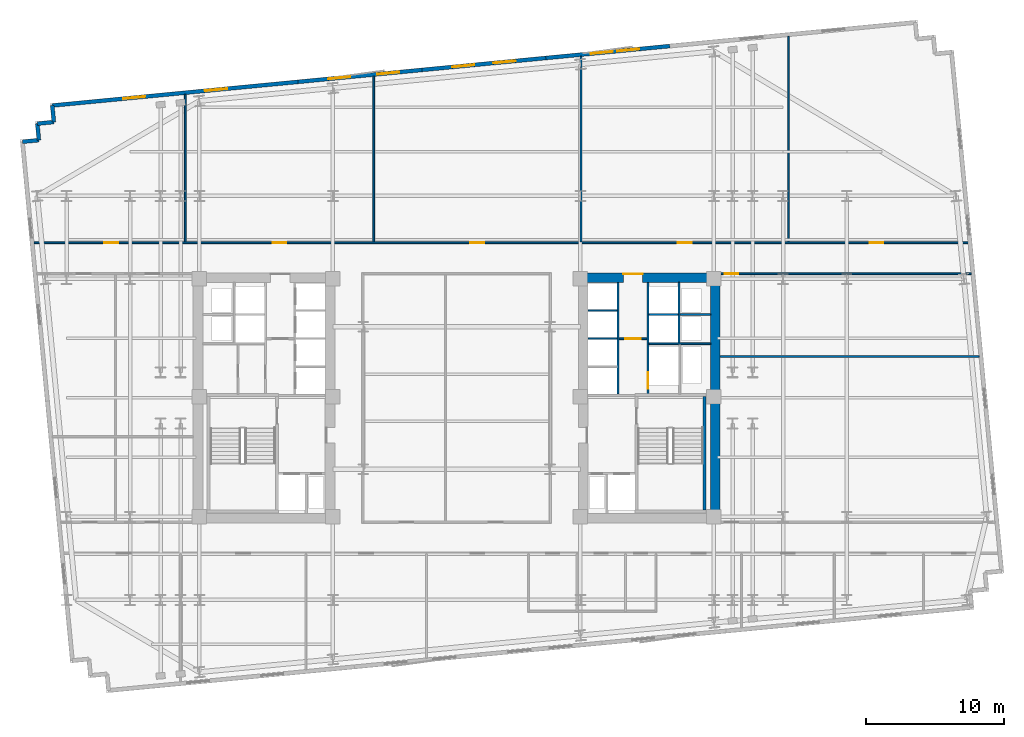
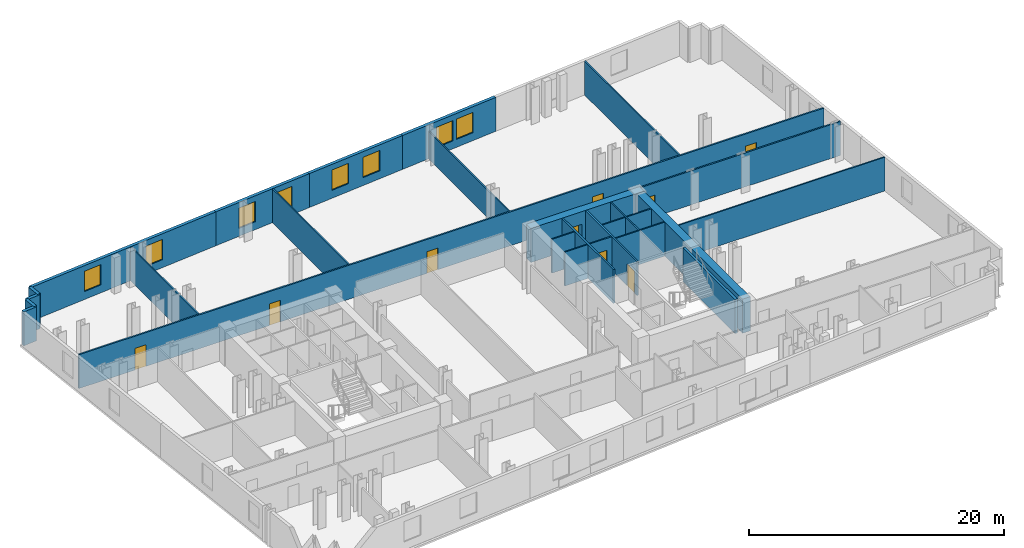
# One storey, part 7 of 10: 27 walls, 9 doors, 8 windows, 17 openings.
"""IFC4 building model written with IfcOpenShell, lengths in metres."""

from ifc_helpers import new_model, si_unit, direction, frame, frame_2d, origin, place, context, subcontext, project, spatial, rectangle, extrude, material, layer, layer_set, type_object, element, fill, save


model = new_model("IFC4")

# Units and contexts
model_context = context("Model", 3, precision=1e-05, world=origin(), true_north=direction((0.0, 1.0)))
body_context = subcontext(model_context, "Body", "Model", "MODEL_VIEW")
ifc_project = project(units=[si_unit("LENGTHUNIT", "METRE"), si_unit("AREAUNIT", "SQUARE_METRE"), si_unit("VOLUMEUNIT", "CUBIC_METRE"), si_unit("PLANEANGLEUNIT", "RADIAN"), si_unit("MASSUNIT", "GRAM", prefix="KILO")], contexts=[model_context])

# Site, building, storey
site_placement = place(None, origin())
site = spatial("IfcSite", under=ifc_project, at=site_placement, CompositionType="ELEMENT")
building_placement = place(site_placement, origin())
building = spatial("IfcBuilding", under=site, at=building_placement, Name="Velakula Bourse", CompositionType="ELEMENT")
storey_placement = place(building_placement, frame((0.0, 0.0, 84.550048828125)))
storey = spatial("IfcBuildingStorey", under=building, at=storey_placement, Name="L22", CompositionType="ELEMENT", Elevation=84.550048828125)

# Wall
ifc_material_1 = material(Name="Concrete M50 (fck 50 MPa)", Category="concrete")
ifc_layer_1 = layer(ifc_material_1, 0.2099609375, Name="Concrete M50 (fck 50 MPa)", Category="concrete")
ifc_layer_set_1 = layer_set([ifc_layer_1], Name="Concrete M50 (fck 50 MPa)")
wall_type_1 = type_object("IfcWallType", Name="WL-CORE-210", PredefinedType="SHEAR", material=ifc_layer_set_1)
wall_1_placement = place(storey_placement, frame((17.925048828125, -8.10009765625, 0.0), z_axis=(0.0, 0.0, 1.0), x_axis=(0.0, 1.0, 0.0)))
element("IfcWall", 1, at=wall_1_placement, inside=storey, type_object=wall_type_1, Name="L22 Core E Stairwell Shear Wall OUT", PredefinedType="SHEAR", context=body_context, shape_type="SweptSolid", body=[
    extrude(rectangle(XDim=8.2001953125, YDim=0.2099609375, at=frame_2d((4.10009765625, 0.0))), origin(), (0.0, 0.0, 1.0), 3.27001953125),
])

# Wall, opening, door
ifc_material_2 = material(Name="Concrete M70 (fck 70 MPa)", Category="concrete")
ifc_layer_2 = layer(ifc_material_2, 0.699951171875, Name="Concrete M70 (fck 70 MPa)", Category="concrete")
ifc_layer_set_2 = layer_set([ifc_layer_2], Name="Concrete M70 (fck 70 MPa)")
wall_type_2 = type_object("IfcWallType", Name="WL-CORE-700", PredefinedType="SHEAR", material=ifc_layer_set_2)
wall_2_placement = place(storey_placement, frame((8.800048828125, 8.699951171875, 0.0), z_axis=(0.0, 0.0, 1.0), x_axis=(1.0, 0.0, 0.0)))
wall_2 = element("IfcWall", 2, at=wall_2_placement, inside=storey, type_object=wall_type_2, Name="L22 Core E Shear Wall N", PredefinedType="SHEAR", context=body_context, shape_type="SweptSolid", body=[
    extrude(rectangle(XDim=10.25, YDim=0.699951171875, at=frame_2d((5.125, 0.0))), origin(), (0.0, 0.0, 1.0), 3.27001953125),
])
opening_1_placement = place(wall_2_placement, frame((3.25, 0.0, 0.0)))
opening_1 = element("IfcOpeningElement", 3, at=opening_1_placement, cuts=wall_2, Name="Opening D-LLE", PredefinedType="OPENING", context=body_context, shape_type="SweptSolid", body=[
    extrude(rectangle(XDim=1.39990234375, YDim=2.050048828125, at=frame_2d((0.699951171875, 1.02490234375))), frame((0.0, 0.35986328125, 0.0), z_axis=(0.0, -1.0, 0.0), x_axis=(1.0, 0.0, 0.0)), (0.0, 0.0, 1.0), 0.719970703125),
])
ifc_material_3 = material(Name="Fire-rated hardwood flush architectural door", Category="wood")
door_type_1 = type_object("IfcDoorType", Name="DR-DBL-FD60-1400", OperationType="DOUBLE_DOOR_SINGLE_SWING", PredefinedType="DOOR", material=ifc_material_3)
door_1_placement = place(opening_1_placement, origin())
door_1 = element("IfcDoor", 4, at=door_1_placement, inside=storey, type_object=door_type_1, Name="L22 Core E Lift Lobby Corridor Double Door", OperationType="DOUBLE_DOOR_SINGLE_SWING", OverallHeight=2.050048828125, OverallWidth=1.39990234375, PredefinedType="DOOR", context=body_context, shape_type="SweptSolid", body=[
    extrude(rectangle(XDim=1.39990234375, YDim=2.050048828125, at=frame_2d((0.699951171875, 1.02490234375))), frame((0.0, 0.294921875, 0.0), z_axis=(0.0, -1.0, 0.0), x_axis=(1.0, 0.0, 0.0)), (0.0, 0.0, 1.0), 0.050048828125),
])
fill(opening_1, door_1)

# Wall
wall_3_placement = place(storey_placement, frame((18.699951171875, -8.35009765625, 0.0), z_axis=(0.0, 0.0, 1.0), x_axis=(0.0, 1.0, 0.0)))
element("IfcWall", 5, at=wall_3_placement, inside=storey, type_object=wall_type_2, Name="L22 Core E Shear Wall E", PredefinedType="SHEAR", context=body_context, shape_type="SweptSolid", body=[
    extrude(rectangle(XDim=16.7001953125, YDim=0.699951171875, at=frame_2d((8.35009765625, 0.0))), origin(), (0.0, 0.0, 1.0), 3.27001953125),
])

# Wall, openings, windows
ifc_material_4 = material(Name="Red kilned clay facing brick masonry", Category="masonry")
ifc_layer_3 = layer(ifc_material_4, 0.280029296875, Name="Red kilned clay facing brick masonry", Category="masonry")
ifc_layer_set_3 = layer_set([ifc_layer_3], Name="Red kilned clay facing brick masonry")
wall_type_3 = type_object("IfcWallType", Name="WL-EXT-BRK-280", PredefinedType="STANDARD", material=ifc_layer_set_3)
wall_4_placement = place(storey_placement, frame((-29.2314453125, 21.138427734375, 0.0), z_axis=(0.0, 0.0, 1.0), x_axis=(0.995395780835, 0.095850088663, 0.0)))
wall_4 = element("IfcWall", 6, at=wall_4_placement, inside=storey, type_object=wall_type_3, Name="L22 N Brick Spandrel Wall B1", PredefinedType="STANDARD", context=body_context, shape_type="SweptSolid", body=[
    extrude(rectangle(XDim=17.83984375, YDim=0.280029296875, at=frame_2d((8.919921875, 0.0))), origin(), (0.0, 0.0, 1.0), 3.25),
])
opening_2_placement = place(wall_4_placement, frame((5.146728515625, 0.0, 0.760009765625)))
opening_2 = element("IfcOpeningElement", 7, at=opening_2_placement, cuts=wall_4, Name="Opening W-02", PredefinedType="OPENING", context=body_context, shape_type="SweptSolid", body=[
    extrude(rectangle(XDim=1.60009765625, YDim=1.949951171875, at=frame_2d((0.800048828125, 0.97509765625))), frame((0.0, 0.14990234375, 0.0), z_axis=(0.0, -1.0, 0.0), x_axis=(1.0, 0.0, 0.0)), (0.0, 0.0, 1.0), 0.300048828125),
])
opening_3_placement = place(wall_4_placement, frame((11.09326171875, 0.0, 0.760009765625)))
opening_3 = element("IfcOpeningElement", 8, at=opening_3_placement, cuts=wall_4, Name="Opening W-02", PredefinedType="OPENING", context=body_context, shape_type="SweptSolid", body=[
    extrude(rectangle(XDim=1.60009765625, YDim=1.949951171875, at=frame_2d((0.800048828125, 0.97509765625))), frame((0.0, 0.14990234375, 0.0), z_axis=(0.0, -1.0, 0.0), x_axis=(1.0, 0.0, 0.0)), (0.0, 0.0, 1.0), 0.300048828125),
])
ifc_material_5 = material(Name="Double-glazed solar-control Low-E glass", Category="glass")
window_type = type_object("IfcWindowType", Name="WIN-TWR-1600x2100", PartitioningType="SINGLE_PANEL", PredefinedType="WINDOW", material=ifc_material_5)
window_1_placement = place(opening_2_placement, origin())
window_1 = element("IfcWindow", 9, at=window_1_placement, inside=storey, type_object=window_type, Name="L22 Deep-Set Recessed Window 1", OverallHeight=1.949951171875, OverallWidth=1.60009765625, PartitioningType="SINGLE_PANEL", PredefinedType="WINDOW", context=body_context, shape_type="SweptSolid", body=[
    extrude(rectangle(XDim=1.60009765625, YDim=1.949951171875, at=frame_2d((0.800048828125, 0.97509765625))), frame((0.0, 0.030029296875, 0.0), z_axis=(0.0, -1.0, 0.0), x_axis=(1.0, 0.0, 0.0)), (0.0, 0.0, 1.0), 0.06005859375),
])
fill(opening_2, window_1)
window_2_placement = place(opening_3_placement, origin())
window_2 = element("IfcWindow", 10, at=window_2_placement, inside=storey, type_object=window_type, Name="L22 Deep-Set Recessed Window 2", OverallHeight=1.949951171875, OverallWidth=1.60009765625, PartitioningType="SINGLE_PANEL", PredefinedType="WINDOW", context=body_context, shape_type="SweptSolid", body=[
    extrude(rectangle(XDim=1.60009765625, YDim=1.949951171875, at=frame_2d((0.800048828125, 0.97509765625))), frame((0.0, 0.030029296875, 0.0), z_axis=(0.0, -1.0, 0.0), x_axis=(1.0, 0.0, 0.0)), (0.0, 0.0, 1.0), 0.06005859375),
])
fill(opening_3, window_2)

wall_5_placement = place(storey_placement, frame((-11.4736328125, 22.848388671875, 0.0), z_axis=(0.0, 0.0, 1.0), x_axis=(0.995396794462, 0.09583956164, 0.0)))
wall_5 = element("IfcWall", 11, at=wall_5_placement, inside=storey, type_object=wall_type_3, Name="L22 N Brick Spandrel Wall B2", PredefinedType="STANDARD", context=body_context, shape_type="SweptSolid", body=[
    extrude(rectangle(XDim=9.0, YDim=0.280029296875, at=frame_2d((4.5, 0.0))), origin(), (0.0, 0.0, 1.0), 3.25),
])
opening_4_placement = place(wall_5_placement, frame((2.199951171875, 0.0, 0.760009765625)))
opening_4 = element("IfcOpeningElement", 12, at=opening_4_placement, cuts=wall_5, Name="Opening W-02", PredefinedType="OPENING", context=body_context, shape_type="SweptSolid", body=[
    extrude(rectangle(XDim=1.60009765625, YDim=1.949951171875, at=frame_2d((0.800048828125, 0.97509765625))), frame((0.0, 0.14990234375, 0.0), z_axis=(0.0, -1.0, 0.0), x_axis=(1.0, 0.0, 0.0)), (0.0, 0.0, 1.0), 0.300048828125),
])
opening_5_placement = place(wall_5_placement, frame((5.75, 0.0, 0.760009765625)))
opening_5 = element("IfcOpeningElement", 13, at=opening_5_placement, cuts=wall_5, Name="Opening W-02", PredefinedType="OPENING", context=body_context, shape_type="SweptSolid", body=[
    extrude(rectangle(XDim=1.60009765625, YDim=1.949951171875, at=frame_2d((0.800048828125, 0.97509765625))), frame((0.0, 0.14990234375, 0.0), z_axis=(0.0, -1.0, 0.0), x_axis=(1.0, 0.0, 0.0)), (0.0, 0.0, 1.0), 0.300048828125),
])
window_3_placement = place(opening_4_placement, origin())
window_3 = element("IfcWindow", 14, at=window_3_placement, inside=storey, type_object=window_type, Name="L22 Deep-Set Recessed Window 1", OverallHeight=1.949951171875, OverallWidth=1.60009765625, PartitioningType="SINGLE_PANEL", PredefinedType="WINDOW", context=body_context, shape_type="SweptSolid", body=[
    extrude(rectangle(XDim=1.60009765625, YDim=1.949951171875, at=frame_2d((0.800048828125, 0.97509765625))), frame((0.0, 0.030029296875, 0.0), z_axis=(0.0, -1.0, 0.0), x_axis=(1.0, 0.0, 0.0)), (0.0, 0.0, 1.0), 0.06005859375),
])
fill(opening_4, window_3)
window_4_placement = place(opening_5_placement, origin())
window_4 = element("IfcWindow", 15, at=window_4_placement, inside=storey, type_object=window_type, Name="L22 Deep-Set Recessed Window 2", OverallHeight=1.949951171875, OverallWidth=1.60009765625, PartitioningType="SINGLE_PANEL", PredefinedType="WINDOW", context=body_context, shape_type="SweptSolid", body=[
    extrude(rectangle(XDim=1.60009765625, YDim=1.949951171875, at=frame_2d((0.800048828125, 0.97509765625))), frame((0.0, 0.030029296875, 0.0), z_axis=(0.0, -1.0, 0.0), x_axis=(1.0, 0.0, 0.0)), (0.0, 0.0, 1.0), 0.06005859375),
])
fill(opening_5, window_4)

wall_6_placement = place(storey_placement, frame((-2.51513671875, 23.7109375, 0.0), z_axis=(0.0, 0.0, 1.0), x_axis=(0.995397043619, 0.095836973841, 0.0)))
wall_6 = element("IfcWall", 16, at=wall_6_placement, inside=storey, type_object=wall_type_3, Name="L22 N Brick Spandrel Wall B3", PredefinedType="STANDARD", context=body_context, shape_type="SweptSolid", body=[
    extrude(rectangle(XDim=9.000244140625, YDim=0.280029296875, at=frame_2d((4.5, 0.0))), origin(), (0.0, 0.0, 1.0), 3.25),
])
opening_6_placement = place(wall_6_placement, frame((2.199951171875, 0.0, 0.760009765625)))
opening_6 = element("IfcOpeningElement", 17, at=opening_6_placement, cuts=wall_6, Name="Opening W-02", PredefinedType="OPENING", context=body_context, shape_type="SweptSolid", body=[
    extrude(rectangle(XDim=1.60009765625, YDim=1.949951171875, at=frame_2d((0.800048828125, 0.97509765625))), frame((0.0, 0.14990234375, 0.0), z_axis=(0.0, -1.0, 0.0), x_axis=(1.0, 0.0, 0.0)), (0.0, 0.0, 1.0), 0.300048828125),
])
opening_7_placement = place(wall_6_placement, frame((5.199951171875, 0.0, 0.760009765625)))
opening_7 = element("IfcOpeningElement", 18, at=opening_7_placement, cuts=wall_6, Name="Opening W-02", PredefinedType="OPENING", context=body_context, shape_type="SweptSolid", body=[
    extrude(rectangle(XDim=1.60009765625, YDim=1.949951171875, at=frame_2d((0.800048828125, 0.97509765625))), frame((0.0, 0.14990234375, 0.0), z_axis=(0.0, -1.0, 0.0), x_axis=(1.0, 0.0, 0.0)), (0.0, 0.0, 1.0), 0.300048828125),
])
window_5_placement = place(opening_6_placement, origin())
window_5 = element("IfcWindow", 19, at=window_5_placement, inside=storey, type_object=window_type, Name="L22 Deep-Set Recessed Window 1", OverallHeight=1.949951171875, OverallWidth=1.60009765625, PartitioningType="SINGLE_PANEL", PredefinedType="WINDOW", context=body_context, shape_type="SweptSolid", body=[
    extrude(rectangle(XDim=1.60009765625, YDim=1.949951171875, at=frame_2d((0.800048828125, 0.97509765625))), frame((0.0, 0.030029296875, 0.0), z_axis=(0.0, -1.0, 0.0), x_axis=(1.0, 0.0, 0.0)), (0.0, 0.0, 1.0), 0.06005859375),
])
fill(opening_6, window_5)
window_6_placement = place(opening_7_placement, origin())
window_6 = element("IfcWindow", 20, at=window_6_placement, inside=storey, type_object=window_type, Name="L22 Deep-Set Recessed Window 2", OverallHeight=1.949951171875, OverallWidth=1.60009765625, PartitioningType="SINGLE_PANEL", PredefinedType="WINDOW", context=body_context, shape_type="SweptSolid", body=[
    extrude(rectangle(XDim=1.60009765625, YDim=1.949951171875, at=frame_2d((0.800048828125, 0.97509765625))), frame((0.0, 0.030029296875, 0.0), z_axis=(0.0, -1.0, 0.0), x_axis=(1.0, 0.0, 0.0)), (0.0, 0.0, 1.0), 0.06005859375),
])
fill(opening_7, window_6)

wall_7_placement = place(storey_placement, frame((6.443603515625, 24.573486328125, 0.0), z_axis=(0.0, 0.0, 1.0), x_axis=(0.995396794462, 0.09583956164, 0.0)))
wall_7 = element("IfcWall", 21, at=wall_7_placement, inside=storey, type_object=wall_type_3, Name="L22 N Brick Spandrel Wall B4", PredefinedType="STANDARD", context=body_context, shape_type="SweptSolid", body=[
    extrude(rectangle(XDim=9.0, YDim=0.280029296875, at=frame_2d((4.5, 0.0))), origin(), (0.0, 0.0, 1.0), 3.25),
])
opening_8_placement = place(wall_7_placement, frame((3.25, 0.0, 0.760009765625)))
opening_8 = element("IfcOpeningElement", 22, at=opening_8_placement, cuts=wall_7, Name="Opening W-02", PredefinedType="OPENING", context=body_context, shape_type="SweptSolid", body=[
    extrude(rectangle(XDim=1.60009765625, YDim=1.949951171875, at=frame_2d((0.800048828125, 0.97509765625))), frame((0.0, 0.14990234375, 0.0), z_axis=(0.0, -1.0, 0.0), x_axis=(1.0, 0.0, 0.0)), (0.0, 0.0, 1.0), 0.300048828125),
])
opening_9_placement = place(wall_7_placement, frame((5.199951171875, 0.0, 0.760009765625)))
opening_9 = element("IfcOpeningElement", 23, at=opening_9_placement, cuts=wall_7, Name="Opening W-02", PredefinedType="OPENING", context=body_context, shape_type="SweptSolid", body=[
    extrude(rectangle(XDim=1.60009765625, YDim=1.949951171875, at=frame_2d((0.800048828125, 0.97509765625))), frame((0.0, 0.14990234375, 0.0), z_axis=(0.0, -1.0, 0.0), x_axis=(1.0, 0.0, 0.0)), (0.0, 0.0, 1.0), 0.300048828125),
])
window_7_placement = place(opening_8_placement, origin())
window_7 = element("IfcWindow", 24, at=window_7_placement, inside=storey, type_object=window_type, Name="L22 Deep-Set Recessed Window 1", OverallHeight=1.949951171875, OverallWidth=1.60009765625, PartitioningType="SINGLE_PANEL", PredefinedType="WINDOW", context=body_context, shape_type="SweptSolid", body=[
    extrude(rectangle(XDim=1.60009765625, YDim=1.949951171875, at=frame_2d((0.800048828125, 0.97509765625))), frame((0.0, 0.030029296875, 0.0), z_axis=(0.0, -1.0, 0.0), x_axis=(1.0, 0.0, 0.0)), (0.0, 0.0, 1.0), 0.06005859375),
])
fill(opening_8, window_7)
window_8_placement = place(opening_9_placement, origin())
window_8 = element("IfcWindow", 25, at=window_8_placement, inside=storey, type_object=window_type, Name="L22 Deep-Set Recessed Window 2", OverallHeight=1.949951171875, OverallWidth=1.60009765625, PartitioningType="SINGLE_PANEL", PredefinedType="WINDOW", context=body_context, shape_type="SweptSolid", body=[
    extrude(rectangle(XDim=1.60009765625, YDim=1.949951171875, at=frame_2d((0.800048828125, 0.97509765625))), frame((0.0, 0.030029296875, 0.0), z_axis=(0.0, -1.0, 0.0), x_axis=(1.0, 0.0, 0.0)), (0.0, 0.0, 1.0), 0.06005859375),
])
fill(opening_9, window_8)

# Walls
for number, where, z_axis, x_axis, name in (
    (26, (-29.2314453125, 21.138427734375, 0.0), (0.0, 0.0, 1.0), (0.095817067274, -0.995398960025, 0.0), "L22 Serrated Corner Brick Wall NW-1"),
    (27, (-29.116455078125, 19.94384765625, 0.0), (0.0, 0.0, 1.0), (-0.995398960025, -0.095817067274, 0.0), "L22 Serrated Corner Brick Wall NW-2"),
):
    element("IfcWall", number, at=place(storey_placement, frame(where, z_axis=z_axis, x_axis=x_axis)), inside=storey, type_object=wall_type_3, Name=name, PredefinedType="STANDARD", context=body_context, shape_type="SweptSolid", body=[
        extrude(rectangle(XDim=1.2001953125, YDim=0.280029296875, at=frame_2d((0.60009765625, 0.0))), origin(), (0.0, 0.0, 1.0), 3.25),
    ])
for number, where, z_axis, x_axis, name in (
    (28, (-30.31103515625, 19.828857421875, 0.0), (0.0, 0.0, 1.0), (0.095836473879, -0.995397091755, 0.0), "L22 Serrated Corner Brick Wall NW-3"),
    (29, (-30.196044921875, 18.634521484375, 0.0), (0.0, 0.0, 1.0), (-0.995397091755, -0.095836473879, 0.0), "L22 Serrated Corner Brick Wall NW-4"),
):
    element("IfcWall", number, at=place(storey_placement, frame(where, z_axis=z_axis, x_axis=x_axis)), inside=storey, type_object=wall_type_3, Name=name, PredefinedType="STANDARD", context=body_context, shape_type="SweptSolid", body=[
        extrude(rectangle(XDim=1.199951171875, YDim=0.280029296875, at=frame_2d((0.60009765625, 0.0))), origin(), (0.0, 0.0, 1.0), 3.25),
    ])

# Wall, opening, door
ifc_material_6 = material(Name="Fire-rated double-layer gypsum drywall partition", Category="gypsum")
ifc_layer_4 = layer(ifc_material_6, 0.1201171875, Name="Fire-rated double-layer gypsum drywall partition", Category="gypsum")
ifc_layer_set_4 = layer_set([ifc_layer_4], Name="Fire-rated double-layer gypsum drywall partition")
wall_type_4 = type_object("IfcWallType", Name="WL-PART-120", PredefinedType="STANDARD", material=ifc_layer_set_4)
wall_8_placement = place(storey_placement, frame((11.75, 4.280029296875, 0.0), z_axis=(0.0, 0.0, 1.0), x_axis=(1.0, 0.0, 0.0)))
wall_8 = element("IfcWall", 30, at=wall_8_placement, inside=storey, type_object=wall_type_4, Name="L22 Interior Partition WL-CRE-L22-LL-K2", PredefinedType="STANDARD", context=body_context, shape_type="SweptSolid", body=[
    extrude(rectangle(XDim=2.0, YDim=0.1201171875, at=frame_2d((1.0, 0.0))), origin(), (0.0, 0.0, 1.0), 3.25),
])
opening_10_placement = place(wall_8_placement, frame((0.449951171875, 0.0, 0.0)))
opening_10 = element("IfcOpeningElement", 31, at=opening_10_placement, cuts=wall_8, Name="Opening D-LK2", PredefinedType="OPENING", context=body_context, shape_type="SweptSolid", body=[
    extrude(rectangle(XDim=1.10009765625, YDim=2.10009765625, at=frame_2d((0.550048828125, 1.050048828125))), frame((0.0, 0.070068359375, 0.0), z_axis=(0.0, -1.0, 0.0), x_axis=(1.0, 0.0, 0.0)), (0.0, 0.0, 1.0), 0.14013671875),
])
door_type_2 = type_object("IfcDoorType", Name="DR-FD60-1100x2100", OperationType="NOTDEFINED", PredefinedType="DOOR", material=ifc_material_3)
door_2_placement = place(opening_10_placement, origin())
door_2 = element("IfcDoor", 32, at=door_2_placement, inside=storey, type_object=door_type_2, Name="L22 Core E Lift Lobby Zone Door", OperationType="SINGLE_SWING_LEFT", OverallHeight=2.10009765625, OverallWidth=1.10009765625, PredefinedType="DOOR", context=body_context, shape_type="SweptSolid", body=[
    extrude(rectangle(XDim=1.10009765625, YDim=2.10009765625, at=frame_2d((0.550048828125, 1.050048828125))), frame((0.0, 0.02490234375, 0.0), z_axis=(0.0, -1.0, 0.0), x_axis=(1.0, 0.0, 0.0)), (0.0, 0.0, 1.0), 0.050048828125),
])
fill(opening_10, door_2)

# Walls
for number, where, z_axis, x_axis, name in (
    (33, (9.5, 4.284912109375, 0.0), (0.0, 0.0, 1.0), (1.0, 0.0, 0.0), "L22 Interior Partition WL-CRE-L22-BDIV-1"),
    (34, (9.5, 6.31494140625, 0.0), (0.0, 0.0, 1.0), (1.0, 0.0, 0.0), "L22 Interior Partition WL-CRE-L22-BDIV-2"),
):
    element("IfcWall", number, at=place(storey_placement, frame(where, z_axis=z_axis, x_axis=x_axis)), inside=storey, type_object=wall_type_4, Name=name, PredefinedType="STANDARD", context=body_context, shape_type="SweptSolid", body=[
        extrude(rectangle(XDim=2.10009765625, YDim=0.110107421875, at=frame_2d((1.050048828125, 0.0))), origin(), (0.0, 0.0, 1.0), 3.25),
    ])
wall_9_placement = place(storey_placement, frame((13.89990234375, 3.919921875, 0.0), z_axis=(0.0, 0.0, 1.0), x_axis=(1.0, 0.0, 0.0)))
element("IfcWall", 35, at=wall_9_placement, inside=storey, type_object=wall_type_4, Name="L22 Interior Partition WL-CRE-L22-HI-S", PredefinedType="STANDARD", context=body_context, shape_type="SweptSolid", body=[
    extrude(rectangle(XDim=4.4501953125, YDim=0.1201171875, at=frame_2d((2.22509765625, 0.0))), origin(), (0.0, 0.0, 1.0), 3.25),
])
wall_10_placement = place(storey_placement, frame((16.14990234375, 6.030029296875, 0.0), z_axis=(0.0, 0.0, 1.0), x_axis=(1.0, 0.0, 0.0)))
element("IfcWall", 36, at=wall_10_placement, inside=storey, type_object=wall_type_4, Name="L22 Interior Partition WL-CRE-L22-RIS-MID", PredefinedType="STANDARD", context=body_context, shape_type="SweptSolid", body=[
    extrude(rectangle(XDim=2.2001953125, YDim=0.1201171875, at=frame_2d((1.10009765625, 0.0))), origin(), (0.0, 0.0, 1.0), 3.25),
])
wall_11_placement = place(storey_placement, frame((16.074951171875, 3.97998046875, 0.0), z_axis=(0.0, 0.0, 1.0), x_axis=(0.0, 1.0, 0.0)))
element("IfcWall", 37, at=wall_11_placement, inside=storey, type_object=wall_type_4, Name="L22 Interior Partition WL-CRE-L22-RIS-F", PredefinedType="STANDARD", context=body_context, shape_type="SweptSolid", body=[
    extrude(rectangle(XDim=4.3701171875, YDim=0.1201171875, at=frame_2d((2.18505859375, 0.0))), origin(), (0.0, 0.0, 1.0), 3.25),
])
wall_12_placement = place(storey_placement, frame((13.89990234375, 6.030029296875, 0.0), z_axis=(0.0, 0.0, 1.0), x_axis=(1.0, 0.0, 0.0)))
element("IfcWall", 38, at=wall_12_placement, inside=storey, type_object=wall_type_4, Name="L22 Interior Partition WL-CRE-L22-HI-DIV", PredefinedType="STANDARD", context=body_context, shape_type="SweptSolid", body=[
    extrude(rectangle(XDim=2.10009765625, YDim=0.1201171875, at=frame_2d((1.050048828125, 0.0))), origin(), (0.0, 0.0, 1.0), 3.25),
])
wall_13_placement = place(storey_placement, frame((-19.614990234375, 11.2900390625, 0.0), z_axis=(0.0, 0.0, 1.0), x_axis=(0.0, 1.0, 0.0)))
element("IfcWall", 39, at=wall_13_placement, inside=storey, type_object=wall_type_4, Name="L22 Interior Partition WL-INT-L22-N-D1", PredefinedType="STANDARD", context=body_context, shape_type="SweptSolid", body=[
    extrude(rectangle(XDim=10.65380859375, YDim=0.1201171875, at=frame_2d((5.326904296875, 0.0))), origin(), (0.0, 0.0, 1.0), 3.25),
])
wall_14_placement = place(storey_placement, frame((-5.992919921875, 11.2900390625, 0.0), z_axis=(0.0, 0.0, 1.0), x_axis=(0.0, 1.0, 0.0)))
element("IfcWall", 40, at=wall_14_placement, inside=storey, type_object=wall_type_4, Name="L22 Interior Partition WL-INT-L22-N-D2", PredefinedType="STANDARD", context=body_context, shape_type="SweptSolid", body=[
    extrude(rectangle(XDim=11.965576171875, YDim=0.1201171875, at=frame_2d((5.98291015625, 0.0))), origin(), (0.0, 0.0, 1.0), 3.25),
])
wall_15_placement = place(storey_placement, frame((8.990966796875, 11.2900390625, 0.0), z_axis=(0.0, 0.0, 1.0), x_axis=(0.0, 1.0, 0.0)))
element("IfcWall", 41, at=wall_15_placement, inside=storey, type_object=wall_type_4, Name="L22 Interior Partition WL-INT-L22-N-D3", PredefinedType="STANDARD", context=body_context, shape_type="SweptSolid", body=[
    extrude(rectangle(XDim=13.408203125, YDim=0.1201171875, at=frame_2d((6.7041015625, 0.0))), origin(), (0.0, 0.0, 1.0), 2.64501953125),
])
wall_16_placement = place(storey_placement, frame((23.97607421875, 11.2900390625, 0.0), z_axis=(0.0, 0.0, 1.0), x_axis=(0.0, 1.0, 0.0)))
element("IfcWall", 42, at=wall_16_placement, inside=storey, type_object=wall_type_4, Name="L22 Interior Partition WL-INT-L22-N-D4", PredefinedType="STANDARD", context=body_context, shape_type="SweptSolid", body=[
    extrude(rectangle(XDim=14.85107421875, YDim=0.1201171875, at=frame_2d((7.425537109375, 0.0))), origin(), (0.0, 0.0, 1.0), 3.25),
])
wall_17_placement = place(storey_placement, frame((19.050048828125, 3.0, 0.0), z_axis=(0.0, 0.0, 1.0), x_axis=(1.0, 0.0, 0.0)))
element("IfcWall", 43, at=wall_17_placement, inside=storey, type_object=wall_type_4, Name="L22 Interior Partition WL-INT-L22-E-H", PredefinedType="STANDARD", context=body_context, shape_type="SweptSolid", body=[
    extrude(rectangle(XDim=18.725341796875, YDim=0.1201171875, at=frame_2d((9.36279296875, 0.0))), origin(), (0.0, 0.0, 1.0), 3.25),
])

# Wall, openings, doors
ifc_layer_5 = layer(ifc_material_6, 0.139892578125, Name="Fire-rated double-layer gypsum drywall partition", Category="gypsum")
ifc_layer_set_5 = layer_set([ifc_layer_5], Name="Fire-rated double-layer gypsum drywall partition")
wall_type_5 = type_object("IfcWallType", Name="WL-PART-140", PredefinedType="STANDARD", material=ifc_layer_set_5)
wall_18_placement = place(storey_placement, frame((-30.56689453125, 11.219970703125, 0.0), z_axis=(0.0, 0.0, 1.0), x_axis=(1.0, 0.0, 0.0)))
wall_18 = element("IfcWall", 44, at=wall_18_placement, inside=storey, type_object=wall_type_5, Name="L22 Interior Partition WL-INT-L22-N-CORR", PredefinedType="STANDARD", context=body_context, shape_type="SweptSolid", body=[
    extrude(rectangle(XDim=67.55078125, YDim=0.139892578125, at=frame_2d((33.775390625, 0.0))), origin(), (0.0, 0.0, 1.0), 3.25),
])
opening_11_placement = place(wall_18_placement, frame((5.10205078125, 0.0, 0.0)))
opening_11 = element("IfcOpeningElement", 45, at=opening_11_placement, cuts=wall_18, Name="Opening D-OF1", PredefinedType="OPENING", context=body_context, shape_type="SweptSolid", body=[
    extrude(rectangle(XDim=1.0, YDim=2.080078125, at=frame_2d((0.5, 1.0400390625))), frame((0.0, 0.079833984375, 0.0), z_axis=(0.0, -1.0, 0.0), x_axis=(1.0, 0.0, 0.0)), (0.0, 0.0, 1.0), 0.159912109375),
])
opening_12_placement = place(wall_18_placement, frame((17.262939453125, 0.0, 0.0)))
opening_12 = element("IfcOpeningElement", 46, at=opening_12_placement, cuts=wall_18, Name="Opening D-OF1", PredefinedType="OPENING", context=body_context, shape_type="SweptSolid", body=[
    extrude(rectangle(XDim=1.0, YDim=2.080078125, at=frame_2d((0.5, 1.0400390625))), frame((0.0, 0.079833984375, 0.0), z_axis=(0.0, -1.0, 0.0), x_axis=(1.0, 0.0, 0.0)), (0.0, 0.0, 1.0), 0.159912109375),
])
opening_13_placement = place(wall_18_placement, frame((31.56591796875, 0.0, 0.0)))
opening_13 = element("IfcOpeningElement", 47, at=opening_13_placement, cuts=wall_18, Name="Opening D-OF1", PredefinedType="OPENING", context=body_context, shape_type="SweptSolid", body=[
    extrude(rectangle(XDim=1.0, YDim=2.080078125, at=frame_2d((0.5, 1.0400390625))), frame((0.0, 0.079833984375, 0.0), z_axis=(0.0, -1.0, 0.0), x_axis=(1.0, 0.0, 0.0)), (0.0, 0.0, 1.0), 0.159912109375),
])
opening_14_placement = place(wall_18_placement, frame((46.550537109375, 0.0, 0.0)))
opening_14 = element("IfcOpeningElement", 48, at=opening_14_placement, cuts=wall_18, Name="Opening D-OF1", PredefinedType="OPENING", context=body_context, shape_type="SweptSolid", body=[
    extrude(rectangle(XDim=1.0, YDim=2.080078125, at=frame_2d((0.5, 1.0400390625))), frame((0.0, 0.079833984375, 0.0), z_axis=(0.0, -1.0, 0.0), x_axis=(1.0, 0.0, 0.0)), (0.0, 0.0, 1.0), 0.159912109375),
])
opening_15_placement = place(wall_18_placement, frame((60.4208984375, 0.0, 0.0)))
opening_15 = element("IfcOpeningElement", 49, at=opening_15_placement, cuts=wall_18, Name="Opening D-OF1", PredefinedType="OPENING", context=body_context, shape_type="SweptSolid", body=[
    extrude(rectangle(XDim=1.0, YDim=2.080078125, at=frame_2d((0.5, 1.0400390625))), frame((0.0, 0.079833984375, 0.0), z_axis=(0.0, -1.0, 0.0), x_axis=(1.0, 0.0, 0.0)), (0.0, 0.0, 1.0), 0.159912109375),
])
door_type_3 = type_object("IfcDoorType", Name="DR-OFF-1000", OperationType="NOTDEFINED", PredefinedType="DOOR", material=ifc_material_3)
door_3_placement = place(opening_11_placement, origin())
door_3 = element("IfcDoor", 50, at=door_3_placement, inside=storey, type_object=door_type_3, Name="L22 Quantitative Research Workspace Door", OperationType="SINGLE_SWING_LEFT", OverallHeight=2.080078125, OverallWidth=1.0, PredefinedType="DOOR", context=body_context, shape_type="SweptSolid", body=[
    extrude(rectangle(XDim=1.0, YDim=2.080078125, at=frame_2d((0.5, 1.0400390625))), frame((0.0, 0.02490234375, 0.0), z_axis=(0.0, -1.0, 0.0), x_axis=(1.0, 0.0, 0.0)), (0.0, 0.0, 1.0), 0.050048828125),
])
fill(opening_11, door_3)
door_4_placement = place(opening_12_placement, origin())
door_4 = element("IfcDoor", 51, at=door_4_placement, inside=storey, type_object=door_type_3, Name="L22 Executive Boardroom Door", OperationType="SINGLE_SWING_RIGHT", OverallHeight=2.080078125, OverallWidth=1.0, PredefinedType="DOOR", context=body_context, shape_type="SweptSolid", body=[
    extrude(rectangle(XDim=1.0, YDim=2.080078125, at=frame_2d((0.5, 1.0400390625))), frame((0.0, 0.02490234375, 0.0), z_axis=(0.0, -1.0, 0.0), x_axis=(1.0, 0.0, 0.0)), (0.0, 0.0, 1.0), 0.050048828125),
])
fill(opening_12, door_4)
door_5_placement = place(opening_13_placement, origin())
door_5 = element("IfcDoor", 52, at=door_5_placement, inside=storey, type_object=door_type_3, Name="L22 Catering Servery Pantry Door", OperationType="SINGLE_SWING_LEFT", OverallHeight=2.080078125, OverallWidth=1.0, PredefinedType="DOOR", context=body_context, shape_type="SweptSolid", body=[
    extrude(rectangle(XDim=1.0, YDim=2.080078125, at=frame_2d((0.5, 1.0400390625))), frame((0.0, 0.02490234375, 0.0), z_axis=(0.0, -1.0, 0.0), x_axis=(1.0, 0.0, 0.0)), (0.0, 0.0, 1.0), 0.050048828125),
])
fill(opening_13, door_5)
door_6_placement = place(opening_14_placement, origin())
door_6 = element("IfcDoor", 53, at=door_6_placement, inside=storey, type_object=door_type_3, Name="L22 Breakout Dining Lounge Door", OperationType="SINGLE_SWING_RIGHT", OverallHeight=2.080078125, OverallWidth=1.0, PredefinedType="DOOR", context=body_context, shape_type="SweptSolid", body=[
    extrude(rectangle(XDim=1.0, YDim=2.080078125, at=frame_2d((0.5, 1.0400390625))), frame((0.0, 0.02490234375, 0.0), z_axis=(0.0, -1.0, 0.0), x_axis=(1.0, 0.0, 0.0)), (0.0, 0.0, 1.0), 0.050048828125),
])
fill(opening_14, door_6)
door_7_placement = place(opening_15_placement, origin())
door_7 = element("IfcDoor", 54, at=door_7_placement, inside=storey, type_object=door_type_3, Name="L22 General Counsel Office Door", OperationType="SINGLE_SWING_LEFT", OverallHeight=2.080078125, OverallWidth=1.0, PredefinedType="DOOR", context=body_context, shape_type="SweptSolid", body=[
    extrude(rectangle(XDim=1.0, YDim=2.080078125, at=frame_2d((0.5, 1.0400390625))), frame((0.0, 0.02490234375, 0.0), z_axis=(0.0, -1.0, 0.0), x_axis=(1.0, 0.0, 0.0)), (0.0, 0.0, 1.0), 0.050048828125),
])
fill(opening_15, door_7)

# Wall, opening, door
wall_19_placement = place(storey_placement, frame((19.050048828125, 8.97998046875, 0.0), z_axis=(0.0, 0.0, 1.0), x_axis=(1.0, 0.0, 0.0)))
wall_19 = element("IfcWall", 55, at=wall_19_placement, inside=storey, type_object=wall_type_5, Name="L22 Interior Partition WL-INT-L22-E-NC", PredefinedType="STANDARD", context=body_context, shape_type="SweptSolid", body=[
    extrude(rectangle(XDim=18.149658203125, YDim=0.139892578125, at=frame_2d((9.07470703125, 0.0))), origin(), (0.0, 0.0, 1.0), 3.25),
])
opening_16_placement = place(wall_19_placement, frame((0.320068359375, 0.0, 0.0)))
opening_16 = element("IfcOpeningElement", 56, at=opening_16_placement, cuts=wall_19, Name="Opening D-OF1", PredefinedType="OPENING", context=body_context, shape_type="SweptSolid", body=[
    extrude(rectangle(XDim=1.0, YDim=2.080078125, at=frame_2d((0.5, 1.0400390625))), frame((0.0, 0.079833984375, 0.0), z_axis=(0.0, -1.0, 0.0), x_axis=(1.0, 0.0, 0.0)), (0.0, 0.0, 1.0), 0.159912109375),
])
door_8_placement = place(opening_16_placement, origin())
door_8 = element("IfcDoor", 57, at=door_8_placement, inside=storey, type_object=door_type_3, Name="L22 Primary Dealer Office Door", OperationType="SINGLE_SWING_LEFT", OverallHeight=2.080078125, OverallWidth=1.0, PredefinedType="DOOR", context=body_context, shape_type="SweptSolid", body=[
    extrude(rectangle(XDim=1.0, YDim=2.080078125, at=frame_2d((0.5, 1.0400390625))), frame((0.0, 0.02490234375, 0.0), z_axis=(0.0, -1.0, 0.0), x_axis=(1.0, 0.0, 0.0)), (0.0, 0.0, 1.0), 0.050048828125),
])
fill(opening_16, door_8)

# Wall
ifc_material_7 = material(Name="Autoclaved aerated concrete blockwork masonry", Category="masonry")
ifc_layer_6 = layer(ifc_material_7, 0.14990234375, Name="Autoclaved aerated concrete blockwork masonry", Category="masonry")
ifc_layer_set_6 = layer_set([ifc_layer_6], Name="Autoclaved aerated concrete blockwork masonry")
wall_type_6 = type_object("IfcWallType", Name="WL-SHAFT-150", PredefinedType="STANDARD", material=ifc_layer_set_6)
wall_20_placement = place(storey_placement, frame((11.675048828125, 0.27001953125, 0.0), z_axis=(0.0, 0.0, 1.0), x_axis=(0.0, 1.0, 0.0)))
element("IfcWall", 58, at=wall_20_placement, inside=storey, type_object=wall_type_6, Name="L22 Interior Partition WL-CRE-L22-BANK-F", PredefinedType="STANDARD", context=body_context, shape_type="SweptSolid", body=[
    extrude(rectangle(XDim=8.080078125, YDim=0.14990234375, at=frame_2d((4.0400390625, 0.0))), origin(), (0.0, 0.0, 1.0), 3.25),
])

# Wall, opening, door
wall_21_placement = place(storey_placement, frame((13.824951171875, 0.27001953125, 0.0), z_axis=(0.0, 0.0, 1.0), x_axis=(0.0, 1.0, 0.0)))
wall_21 = element("IfcWall", 59, at=wall_21_placement, inside=storey, type_object=wall_type_6, Name="L22 Interior Partition WL-CRE-L22-OUT-F", PredefinedType="STANDARD", context=body_context, shape_type="SweptSolid", body=[
    extrude(rectangle(XDim=8.080078125, YDim=0.14990234375, at=frame_2d((4.0400390625, 0.0))), origin(), (0.0, 0.0, 1.0), 3.25),
])
opening_17_placement = place(wall_21_placement, frame((0.3798828125, 0.0, 0.0)))
opening_17 = element("IfcOpeningElement", 60, at=opening_17_placement, cuts=wall_21, Name="Opening LD-SVL1", PredefinedType="OPENING", context=body_context, shape_type="SweptSolid", body=[
    extrude(rectangle(XDim=1.199951171875, YDim=2.10009765625, at=frame_2d((0.60009765625, 1.050048828125))), frame((0.0, 0.0849609375, 0.0), z_axis=(0.0, -1.0, 0.0), x_axis=(1.0, 0.0, 0.0)), (0.0, 0.0, 1.0), 0.169921875),
])
ifc_material_8 = material(Name="Brushed grade 316 stainless steel", Category="steel")
door_type_4 = type_object("IfcDoorType", Name="DR-SLIDE-LD-1200", OperationType="DOUBLE_DOOR_SLIDING", PredefinedType="DOOR", material=ifc_material_8)
door_9_placement = place(opening_17_placement, origin())
door_9 = element("IfcDoor", 61, at=door_9_placement, inside=storey, type_object=door_type_4, Name="L22 Service Lift SVL-1 Sliding Landing Door", OperationType="DOUBLE_DOOR_SLIDING", OverallHeight=2.10009765625, OverallWidth=1.199951171875, PredefinedType="DOOR", context=body_context, shape_type="SweptSolid", body=[
    extrude(rectangle(XDim=1.199951171875, YDim=2.10009765625, at=frame_2d((0.60009765625, 1.050048828125))), frame((0.0, 0.02490234375, 0.0), z_axis=(0.0, -1.0, 0.0), x_axis=(1.0, 0.0, 0.0)), (0.0, 0.0, 1.0), 0.050048828125),
])
fill(opening_17, door_9)

save(model, "model.ifc")
